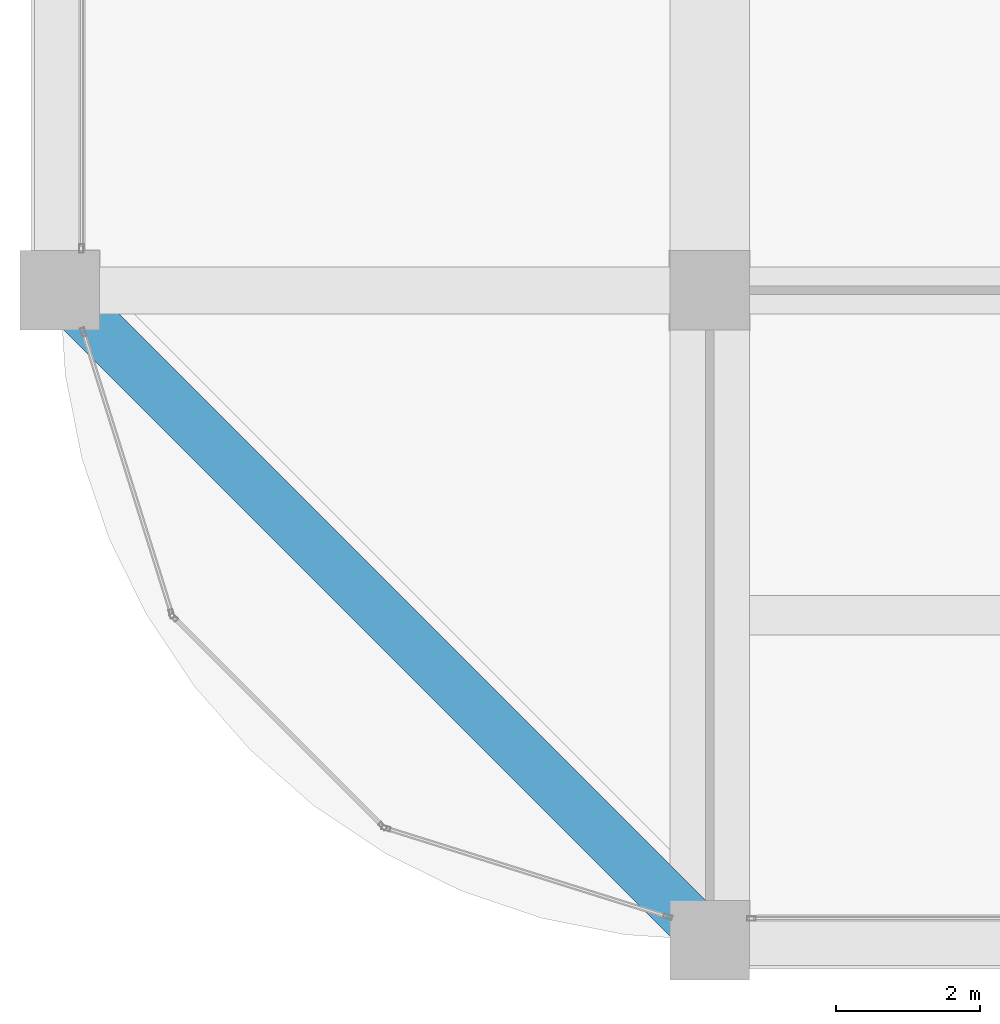
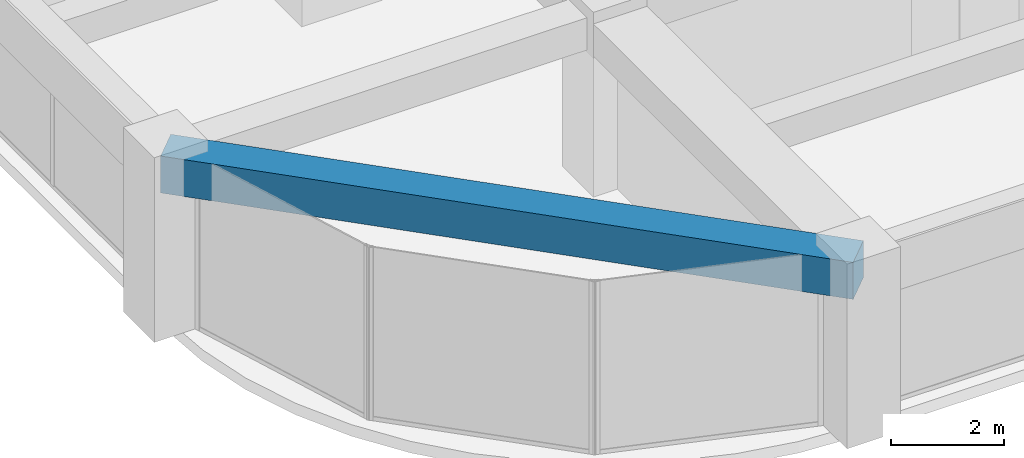
# One storey, part 3 of 45: 1 beam.
"""IFC4 building model written with IfcOpenShell, lengths in metres."""

from ifc_helpers import new_model, si_unit, direction, frame, origin, origin_2d, place, context, subcontext, project, spatial, rectangle, extrude, material, material_profile, profile_set, type_object, element, save


model = new_model("IFC4")

# Units and contexts
model_context = context("Model", 3, precision=1e-05, world=origin(), true_north=direction((0.0, 1.0)))
body_context = subcontext(model_context, "Body", "Model", "MODEL_VIEW")
ifc_project = project(units=[si_unit("LENGTHUNIT", "METRE"), si_unit("AREAUNIT", "SQUARE_METRE"), si_unit("VOLUMEUNIT", "CUBIC_METRE"), si_unit("PLANEANGLEUNIT", "RADIAN"), si_unit("MASSUNIT", "GRAM", prefix="KILO")], contexts=[model_context])

# Site, building, storey
site_placement = place(None, origin())
site = spatial("IfcSite", under=ifc_project, at=site_placement, CompositionType="ELEMENT")
building_placement = place(site_placement, origin())
building = spatial("IfcBuilding", under=site, at=building_placement, Name="Zorevar Civic Tower", CompositionType="ELEMENT")
storey_placement = place(building_placement, frame((0.0, 0.0, 279.39990234375)))
storey = spatial("IfcBuildingStorey", under=building, at=storey_placement, Name="L68", CompositionType="ELEMENT", Elevation=279.39990234375)

# Beam
ifc_material = material(Name="Concrete C50/60", Category="concrete")
ifc_material_profile = material_profile(ifc_material, rectangle(XDim=0.699951171875, YDim=0.800048828125, at=origin_2d()), Name="RC 700x800")
ifc_profile_set = profile_set([ifc_material_profile], Name="Concrete C50/60")
beam_type = type_object("IfcBeamType", Name="Edge beam RC 700x800", PredefinedType="SPANDREL", material=ifc_profile_set)
beam_placement = place(storey_placement, frame((9.0, 9.0, 3.35009765625), z_axis=(0.707106781187, -0.707106781187, 0.0), x_axis=(0.707106781187, 0.707106781187, 0.0)))
element("IfcBeam", 1, at=beam_placement, inside=storey, type_object=beam_type, Name="Corner edge beam L69", PredefinedType="SPANDREL", context=body_context, shape_type="SweptSolid", body=[
    extrude(rectangle(XDim=0.699951171875, YDim=0.800048828125, at=origin_2d()), origin(), (0.0, 0.0, 1.0), 12.72802734375),
])

save(model, "model.ifc")
